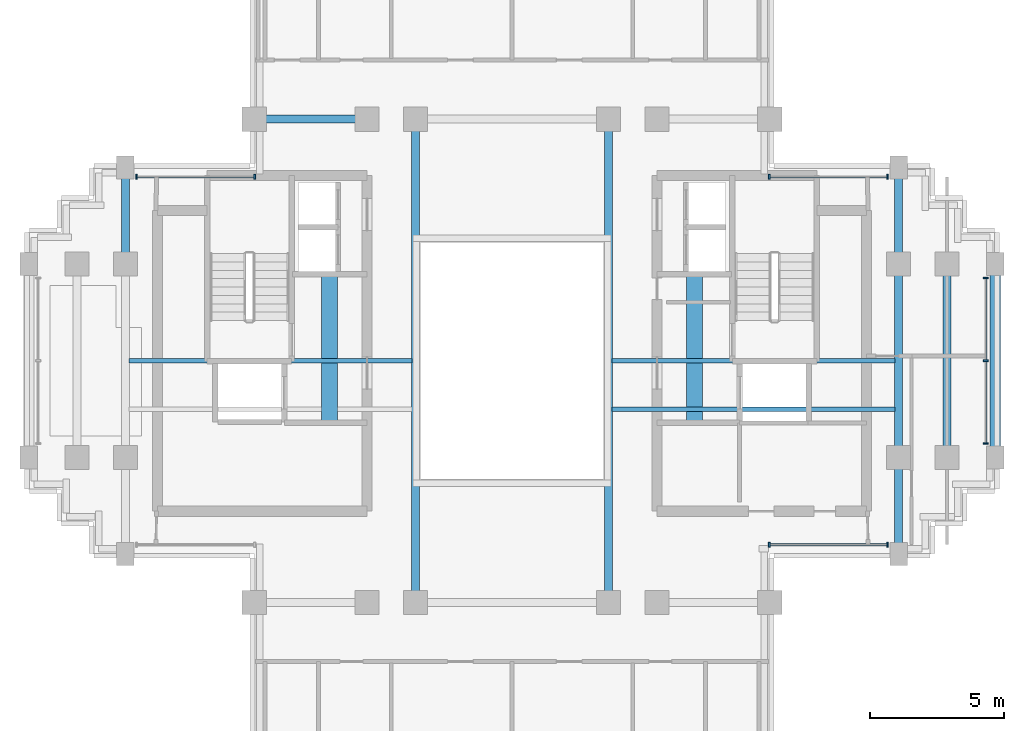
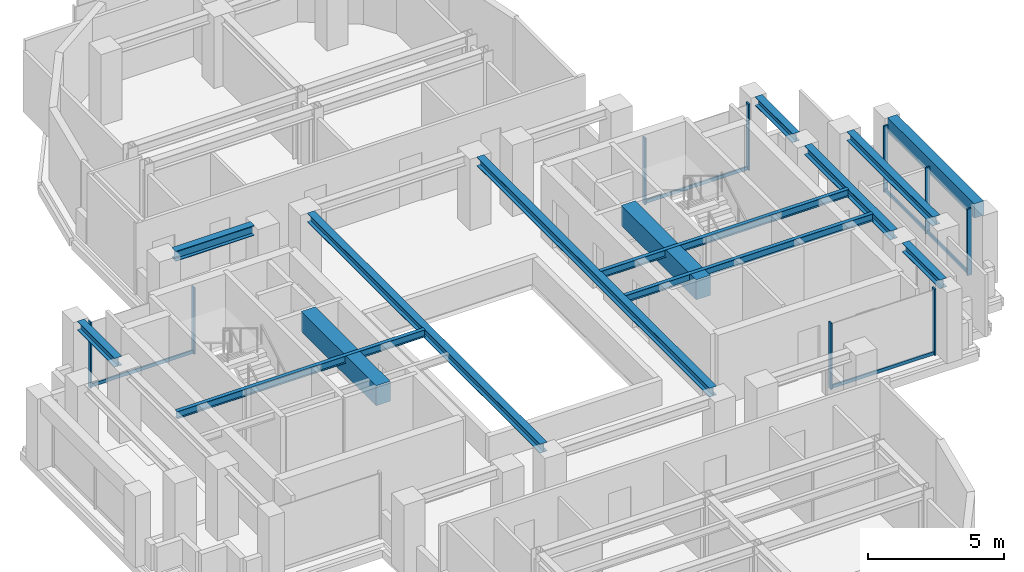
# One storey, part 3 of 11: 14 beams, 14 members, 4 elements without a shape of their own.
"""IFC4 building model written with IfcOpenShell, lengths in metres."""

from ifc_helpers import new_model, si_unit, direction, frame, origin, origin_2d, place, context, subcontext, project, spatial, rectangle, i_section, extrude, source, transform, mapped, material, material_profile, profile_set, type_object, element, aggregate, save


model = new_model("IFC4")

# Units and contexts
model_context = context("Model", 3, precision=1e-05, world=origin(), true_north=direction((0.0, 1.0)))
body_context = subcontext(model_context, "Body", "Model", "MODEL_VIEW")
ifc_project = project(units=[si_unit("LENGTHUNIT", "METRE"), si_unit("AREAUNIT", "SQUARE_METRE"), si_unit("VOLUMEUNIT", "CUBIC_METRE"), si_unit("PLANEANGLEUNIT", "RADIAN"), si_unit("MASSUNIT", "GRAM", prefix="KILO")], contexts=[model_context])

# Site, building, storey
site_placement = place(None, origin())
site = spatial("IfcSite", under=ifc_project, at=site_placement, CompositionType="ELEMENT")
building_placement = place(site_placement, origin())
building = spatial("IfcBuilding", under=site, at=building_placement, Name="Keilestroom Media Tower", CompositionType="ELEMENT")
storey_placement = place(building_placement, frame((0.0, 0.0, 194.39990234375)))
storey = spatial("IfcBuildingStorey", under=building, at=storey_placement, Name="L53", CompositionType="ELEMENT", Elevation=194.39990234375)

# Beams
ifc_material_1 = material(Name="Concrete C70/85", Category="concrete")
ifc_material_profile_1 = material_profile(ifc_material_1, rectangle(XDim=0.60009765625, YDim=0.89990234375, at=origin_2d()), Name="RC 600x900")
ifc_profile_set_1 = profile_set([ifc_material_profile_1], Name="Concrete C70/85")
beam_type_1 = type_object("IfcBeamType", Name="Core-Coupling-Lintel-Beam-RC-600x900", PredefinedType="LINTEL", material=ifc_profile_set_1)
shared_shape_1 = source(origin(), body_context, "Body", "SweptSolid", [
    extrude(rectangle(XDim=0.60009765625, YDim=0.89990234375, at=origin_2d()), origin(), (0.0, 0.0, 1.0), 5.52001953125),
])
for number, where, z_axis, x_axis, name in (
    (1, (-6.800048828125, -2.300048828125, 2.75), (0.0, 1.0, 0.0), (-1.0, 0.0, 0.0), "L53 Beam CLB-1 CLB-L53-W"),
    (2, (6.800048828125, -2.300048828125, 2.75), (0.0, 1.0, 0.0), (-1.0, 0.0, 0.0), "L53 Beam CLB-1 CLB-L53-E"),
):
    element("IfcBeam", number, at=place(storey_placement, frame(where, z_axis=z_axis, x_axis=x_axis)), inside=storey, type_object=beam_type_1, Name=name, PredefinedType="LINTEL", context=body_context, shape_type="MappedRepresentation", body=[
        mapped(shared_shape_1, transform((0.0, 0.0, 0.0), x_axis=(1.0, 0.0, 0.0), y_axis=(0.0, 1.0, 0.0), z_axis=(0.0, 0.0, 1.0), scale=1.0)),
    ])
ifc_material_2 = material(Name="Steel S355", Category="steel")
ifc_material_profile_2 = material_profile(ifc_material_2, i_section(OverallWidth=0.300048828125, OverallDepth=0.449951171875, WebThickness=0.011962890625, FlangeThickness=0.02587890625, at=origin_2d()), Name="HEB 450")
ifc_profile_set_2 = profile_set([ifc_material_profile_2], Name="Steel S355")
beam_type_2 = type_object("IfcBeamType", Name="Primary-Structural-Girder-HEB-450", PredefinedType="BEAM", material=ifc_profile_set_2)
shared_shape_2 = source(origin(), body_context, "Body", "SweptSolid", [
    extrude(i_section(OverallWidth=0.300048828125, OverallDepth=0.449951171875, WebThickness=0.011962890625, FlangeThickness=0.02587890625, at=origin_2d()), origin(), (0.0, 0.0, 1.0), 3.33984375),
])
beam_1_placement = place(storey_placement, frame((-9.169921875, 9.0, 2.97509765625), z_axis=(1.0, 0.0, 0.0), x_axis=(0.0, 1.0, 0.0)))
element("IfcBeam", 3, at=beam_1_placement, inside=storey, type_object=beam_type_2, Name="L53 Beam BG-7 BM-L53-EW-020", PredefinedType="BEAM", context=body_context, shape_type="MappedRepresentation", body=[
    mapped(shared_shape_2, transform((0.0, 0.0, 0.0), x_axis=(1.0, 0.0, 0.0), y_axis=(0.0, 1.0, 0.0), z_axis=(0.0, 0.0, 1.0), scale=1.0)),
])
ifc_material_3 = material(Name="Precast concrete C40/50", Category="concrete")
ifc_material_profile_3 = material_profile(ifc_material_3, rectangle(XDim=0.39990234375, YDim=0.64990234375, at=origin_2d()), Name="PC 400x650")
ifc_profile_set_3 = profile_set([ifc_material_profile_3], Name="Precast concrete C40/50")
beam_type_3 = type_object("IfcBeamType", Name="Perimeter-Spandrel-Beam-PC-400x650", PredefinedType="SPANDREL", material=ifc_profile_set_3)
shared_shape_3 = source(origin(), body_context, "Body", "SweptSolid", [
    extrude(rectangle(XDim=0.39990234375, YDim=0.64990234375, at=origin_2d()), origin(), (0.0, 0.0, 1.0), 6.39013671875),
])
beam_2_placement = place(storey_placement, frame((18.0, -3.195068359375, 2.875), z_axis=(0.0, 1.0, 0.0), x_axis=(-1.0, 0.0, 0.0)))
element("IfcBeam", 4, at=beam_2_placement, inside=storey, type_object=beam_type_3, Name="L53 Beam SPB-2 BM-L53-NS-054", PredefinedType="SPANDREL", context=body_context, shape_type="MappedRepresentation", body=[
    mapped(shared_shape_3, transform((0.0, 0.0, 0.0), x_axis=(1.0, 0.0, 0.0), y_axis=(0.0, 1.0, 0.0), z_axis=(0.0, 0.0, 1.0), scale=1.0)),
])
ifc_material_profile_4 = material_profile(ifc_material_2, i_section(OverallWidth=0.300048828125, OverallDepth=0.39990234375, WebThickness=0.011474609375, FlangeThickness=0.02392578125, at=origin_2d()), Name="HEB 400")
ifc_profile_set_4 = profile_set([ifc_material_profile_4], Name="Steel S355")
beam_type_4 = type_object("IfcBeamType", Name="Primary-Structural-Girder-HEB-400", PredefinedType="BEAM", material=ifc_profile_set_4)
shared_shape_4 = source(origin(), body_context, "Body", "SweptSolid", [
    extrude(i_section(OverallWidth=0.300048828125, OverallDepth=0.39990234375, WebThickness=0.011474609375, FlangeThickness=0.02392578125, at=origin_2d()), origin(), (0.0, 0.0, 1.0), 6.33984375),
])
for number, where, z_axis, x_axis, name in (
    (5, (14.39990234375, -3.169921875, 3.0), (0.0, 1.0, 0.0), (-1.0, 0.0, 0.0), "L53 Beam BG-8 BM-L53-NS-051"),
    (6, (16.199951171875, -3.169921875, 3.0), (0.0, 1.0, 0.0), (-1.0, 0.0, 0.0), "L53 Beam BG-8 BM-L53-NS-053"),
):
    element("IfcBeam", number, at=place(storey_placement, frame(where, z_axis=z_axis, x_axis=x_axis)), inside=storey, type_object=beam_type_4, Name=name, PredefinedType="BEAM", context=body_context, shape_type="MappedRepresentation", body=[
        mapped(shared_shape_4, transform((0.0, 0.0, 0.0), x_axis=(1.0, 0.0, 0.0), y_axis=(0.0, 1.0, 0.0), z_axis=(0.0, 0.0, 1.0), scale=1.0)),
    ])
shared_shape_5 = source(origin(), body_context, "Body", "SweptSolid", [
    extrude(i_section(OverallWidth=0.300048828125, OverallDepth=0.39990234375, WebThickness=0.011474609375, FlangeThickness=0.02392578125, at=origin_2d()), origin(), (0.0, 0.0, 1.0), 2.764892578125),
])
for number, where, z_axis, x_axis, name in (
    (7, (-14.39990234375, 4.030029296875, 3.0), (0.0, 1.0, 0.0), (-1.0, 0.0, 0.0), "L53 Beam BG-8 BM-L53-NS-035"),
    (8, (14.39990234375, -6.794921875, 3.0), (0.0, 1.0, 0.0), (-1.0, 0.0, 0.0), "L53 Beam BG-8 BM-L53-NS-050"),
    (9, (14.39990234375, 4.030029296875, 3.0), (0.0, 1.0, 0.0), (-1.0, 0.0, 0.0), "L53 Beam BG-8 BM-L53-NS-052"),
):
    element("IfcBeam", number, at=place(storey_placement, frame(where, z_axis=z_axis, x_axis=x_axis)), inside=storey, type_object=beam_type_4, Name=name, PredefinedType="BEAM", context=body_context, shape_type="MappedRepresentation", body=[
        mapped(shared_shape_5, transform((0.0, 0.0, 0.0), x_axis=(1.0, 0.0, 0.0), y_axis=(0.0, 1.0, 0.0), z_axis=(0.0, 0.0, 1.0), scale=1.0)),
    ])
shared_shape_6 = source(origin(), body_context, "Body", "SweptSolid", [
    extrude(i_section(OverallWidth=0.300048828125, OverallDepth=0.39990234375, WebThickness=0.011474609375, FlangeThickness=0.02392578125, at=origin_2d()), origin(), (0.0, 0.0, 1.0), 17.14013671875),
])
for number, where, z_axis, x_axis, name in (
    (10, (-3.60009765625, -8.570068359375, 3.0), (0.0, 1.0, 0.0), (-1.0, 0.0, 0.0), "L53 Beam BG-8 BM-L53-NS-040"),
    (11, (3.60009765625, -8.570068359375, 3.0), (0.0, 1.0, 0.0), (-1.0, 0.0, 0.0), "L53 Beam BG-8 BM-L53-NS-045"),
):
    element("IfcBeam", number, at=place(storey_placement, frame(where, z_axis=z_axis, x_axis=x_axis)), inside=storey, type_object=beam_type_4, Name=name, PredefinedType="BEAM", context=body_context, shape_type="MappedRepresentation", body=[
        mapped(shared_shape_6, transform((0.0, 0.0, 0.0), x_axis=(1.0, 0.0, 0.0), y_axis=(0.0, 1.0, 0.0), z_axis=(0.0, 0.0, 1.0), scale=1.0)),
    ])
ifc_material_profile_5 = material_profile(ifc_material_2, i_section(OverallWidth=0.159912109375, OverallDepth=0.330078125, WebThickness=0.007568359375, FlangeThickness=0.011474609375, at=origin_2d()), Name="IPE 330")
ifc_profile_set_5 = profile_set([ifc_material_profile_5], Name="Steel S355")
beam_type_5 = type_object("IfcBeamType", Name="Secondary-Floor-Joist-IPE-330", PredefinedType="JOIST", material=ifc_profile_set_5)
shared_shape_7 = source(origin(), body_context, "Body", "SweptSolid", [
    extrude(i_section(OverallWidth=0.159912109375, OverallDepth=0.330078125, WebThickness=0.007568359375, FlangeThickness=0.011474609375, at=origin_2d()), origin(), (0.0, 0.0, 1.0), 10.5400390625),
])
for number, where, z_axis, x_axis, name in (
    (12, (3.72998046875, -1.800048828125, 3.03515625), (1.0, 0.0, 0.0), (0.0, 1.0, 0.0), "L53 Beam BJ-6 JST-L53-059"),
    (13, (-14.27001953125, 0.0, 3.03515625), (1.0, 0.0, 0.0), (0.0, 1.0, 0.0), "L53 Beam BJ-6 JST-L53-060"),
    (14, (3.72998046875, 0.0, 3.03515625), (1.0, 0.0, 0.0), (0.0, 1.0, 0.0), "L53 Beam BJ-6 JST-L53-062"),
):
    element("IfcBeam", number, at=place(storey_placement, frame(where, z_axis=z_axis, x_axis=x_axis)), inside=storey, type_object=beam_type_5, Name=name, PredefinedType="JOIST", context=body_context, shape_type="MappedRepresentation", body=[
        mapped(shared_shape_7, transform((0.0, 0.0, 0.0), x_axis=(1.0, 0.0, 0.0), y_axis=(0.0, 1.0, 0.0), z_axis=(0.0, 0.0, 1.0), scale=1.0)),
    ])

# Curtain wall, members
ifc_material_4 = material(Name="Anodised Aluminium Alloy", Category="aluminium")
curtain_wall_type = type_object("IfcCurtainWallType", Name="Unitised-Curtain-Wall-CW-3", PredefinedType="NOTDEFINED", material=ifc_material_4)
curtain_wall_1_placement = place(storey_placement, origin())
curtain_wall_1 = element("IfcCurtainWall", 15, at=curtain_wall_1_placement, inside=storey, type_object=curtain_wall_type, Name="L53 Curtain Wall CW-3 CW-L53-E-1", PredefinedType="NOTDEFINED")
ifc_material_profile_6 = material_profile(ifc_material_4, rectangle(XDim=0.06494140625, YDim=0.179931640625, at=origin_2d()), Name="ALU MULLION 65x180")
ifc_profile_set_6 = profile_set([ifc_material_profile_6], Name="Anodised Aluminium Alloy")
member_type_1 = type_object("IfcMemberType", Name="Curtain-Wall-Mullion-CW-3", PredefinedType="MULLION", material=ifc_profile_set_6)
shared_shape_8 = source(origin(), body_context, "Body", "SweptSolid", [
    extrude(rectangle(XDim=0.06494140625, YDim=0.179931640625, at=origin_2d()), origin(), (0.0, 0.0, 1.0), 2.97998046875),
])
member_1_placement = place(storey_placement, frame((17.64990234375, -3.08251953125, 0.0), z_axis=(0.0, 0.0, 1.0), x_axis=(0.0, 1.0, 0.0)))
member_1 = element("IfcMember", 16, at=member_1_placement, type_object=member_type_1, Name="CW-3 Mullion 00", PredefinedType="MULLION", context=body_context, shape_type="MappedRepresentation", body=[
    mapped(shared_shape_8, transform((0.0, 0.0, 0.0), x_axis=(1.0, 0.0, 0.0), y_axis=(0.0, 1.0, 0.0), z_axis=(0.0, 0.0, 1.0), scale=1.0)),
])
member_2_placement = place(storey_placement, frame((17.64990234375, 0.0, 0.0), z_axis=(0.0, 0.0, 1.0), x_axis=(0.0, 1.0, 0.0)))
member_2 = element("IfcMember", 17, at=member_2_placement, type_object=member_type_1, Name="CW-3 Mullion 01", PredefinedType="MULLION", context=body_context, shape_type="MappedRepresentation", body=[
    mapped(shared_shape_8, transform((0.0, 0.0, 0.0), x_axis=(1.0, 0.0, 0.0), y_axis=(0.0, 1.0, 0.0), z_axis=(0.0, 0.0, 1.0), scale=1.0)),
])
member_3_placement = place(storey_placement, frame((17.64990234375, 3.08251953125, 0.0), z_axis=(0.0, 0.0, 1.0), x_axis=(0.0, 1.0, 0.0)))
member_3 = element("IfcMember", 18, at=member_3_placement, type_object=member_type_1, Name="CW-3 Mullion 02", PredefinedType="MULLION", context=body_context, shape_type="MappedRepresentation", body=[
    mapped(shared_shape_8, transform((0.0, 0.0, 0.0), x_axis=(1.0, 0.0, 0.0), y_axis=(0.0, 1.0, 0.0), z_axis=(0.0, 0.0, 1.0), scale=1.0)),
])

curtain_wall_2_placement = place(storey_placement, origin())
curtain_wall_2 = element("IfcCurtainWall", 19, at=curtain_wall_2_placement, inside=storey, type_object=curtain_wall_type, Name="L53 Curtain Wall CW-3 CW-L53-NW-1", PredefinedType="NOTDEFINED")
member_4_placement = place(storey_placement, frame((-13.982421875, 6.85009765625, 0.0), z_axis=(0.0, 0.0, 1.0), x_axis=(1.0, 0.0, 0.0)))
member_4 = element("IfcMember", 20, at=member_4_placement, type_object=member_type_1, Name="CW-3 Mullion 00", PredefinedType="MULLION", context=body_context, shape_type="MappedRepresentation", body=[
    mapped(shared_shape_8, transform((0.0, 0.0, 0.0), x_axis=(1.0, 0.0, 0.0), y_axis=(0.0, 1.0, 0.0), z_axis=(0.0, 0.0, 1.0), scale=1.0)),
])
member_5_placement = place(storey_placement, frame((-9.58251953125, 6.85009765625, 0.0), z_axis=(0.0, 0.0, 1.0), x_axis=(1.0, 0.0, 0.0)))
member_5 = element("IfcMember", 21, at=member_5_placement, type_object=member_type_1, Name="CW-3 Mullion 01", PredefinedType="MULLION", context=body_context, shape_type="MappedRepresentation", body=[
    mapped(shared_shape_8, transform((0.0, 0.0, 0.0), x_axis=(1.0, 0.0, 0.0), y_axis=(0.0, 1.0, 0.0), z_axis=(0.0, 0.0, 1.0), scale=1.0)),
])

curtain_wall_3_placement = place(storey_placement, origin())
curtain_wall_3 = element("IfcCurtainWall", 22, at=curtain_wall_3_placement, inside=storey, type_object=curtain_wall_type, Name="L53 Curtain Wall CW-3 CW-L53-NE-1", PredefinedType="NOTDEFINED")
member_6_placement = place(storey_placement, frame((9.58251953125, 6.85009765625, 0.0), z_axis=(0.0, 0.0, 1.0), x_axis=(1.0, 0.0, 0.0)))
member_6 = element("IfcMember", 23, at=member_6_placement, type_object=member_type_1, Name="CW-3 Mullion 00", PredefinedType="MULLION", context=body_context, shape_type="MappedRepresentation", body=[
    mapped(shared_shape_8, transform((0.0, 0.0, 0.0), x_axis=(1.0, 0.0, 0.0), y_axis=(0.0, 1.0, 0.0), z_axis=(0.0, 0.0, 1.0), scale=1.0)),
])
member_7_placement = place(storey_placement, frame((13.982421875, 6.85009765625, 0.0), z_axis=(0.0, 0.0, 1.0), x_axis=(1.0, 0.0, 0.0)))
member_7 = element("IfcMember", 24, at=member_7_placement, type_object=member_type_1, Name="CW-3 Mullion 01", PredefinedType="MULLION", context=body_context, shape_type="MappedRepresentation", body=[
    mapped(shared_shape_8, transform((0.0, 0.0, 0.0), x_axis=(1.0, 0.0, 0.0), y_axis=(0.0, 1.0, 0.0), z_axis=(0.0, 0.0, 1.0), scale=1.0)),
])

curtain_wall_4_placement = place(storey_placement, origin())
curtain_wall_4 = element("IfcCurtainWall", 25, at=curtain_wall_4_placement, inside=storey, type_object=curtain_wall_type, Name="L53 Curtain Wall CW-3 CW-L53-SE-1", PredefinedType="NOTDEFINED")
member_8_placement = place(storey_placement, frame((9.58251953125, -6.85009765625, 0.0), z_axis=(0.0, 0.0, 1.0), x_axis=(1.0, 0.0, 0.0)))
member_8 = element("IfcMember", 26, at=member_8_placement, type_object=member_type_1, Name="CW-3 Mullion 00", PredefinedType="MULLION", context=body_context, shape_type="MappedRepresentation", body=[
    mapped(shared_shape_8, transform((0.0, 0.0, 0.0), x_axis=(1.0, 0.0, 0.0), y_axis=(0.0, 1.0, 0.0), z_axis=(0.0, 0.0, 1.0), scale=1.0)),
])
member_9_placement = place(storey_placement, frame((13.982421875, -6.85009765625, 0.0), z_axis=(0.0, 0.0, 1.0), x_axis=(1.0, 0.0, 0.0)))
member_9 = element("IfcMember", 27, at=member_9_placement, type_object=member_type_1, Name="CW-3 Mullion 01", PredefinedType="MULLION", context=body_context, shape_type="MappedRepresentation", body=[
    mapped(shared_shape_8, transform((0.0, 0.0, 0.0), x_axis=(1.0, 0.0, 0.0), y_axis=(0.0, 1.0, 0.0), z_axis=(0.0, 0.0, 1.0), scale=1.0)),
])

# Member
ifc_material_profile_7 = material_profile(ifc_material_4, rectangle(XDim=0.06494140625, YDim=0.14990234375, at=origin_2d()), Name="ALU TRANSOM 65x150")
ifc_profile_set_7 = profile_set([ifc_material_profile_7], Name="Anodised Aluminium Alloy")
member_type_2 = type_object("IfcMemberType", Name="Curtain-Wall-Transom-CW-3", PredefinedType="USERDEFINED", material=ifc_profile_set_7)
shared_shape_9 = source(origin(), body_context, "Body", "SweptSolid", [
    extrude(rectangle(XDim=0.06494140625, YDim=0.14990234375, at=origin_2d()), origin(), (0.0, 0.0, 1.0), 4.3388671875),
])
member_10_placement = place(storey_placement, frame((-13.951904296875, 6.85009765625, 0.0751953125), z_axis=(1.0, 0.0, 0.0), x_axis=(0.0, 1.0, 0.0)))
member_10 = element("IfcMember", 28, at=member_10_placement, type_object=member_type_2, Name="CW-3 Transom 00.1", ObjectType="TRANSOM", PredefinedType="USERDEFINED", context=body_context, shape_type="MappedRepresentation", body=[
    mapped(shared_shape_9, transform((0.0, 0.0, 0.0), x_axis=(1.0, 0.0, 0.0), y_axis=(0.0, 1.0, 0.0), z_axis=(0.0, 0.0, 1.0), scale=1.0)),
])

aggregate(curtain_wall_2, [member_4, member_5, member_10])

member_11_placement = place(storey_placement, frame((9.613037109375, 6.85009765625, 0.0751953125), z_axis=(1.0, 0.0, 0.0), x_axis=(0.0, 1.0, 0.0)))
member_11 = element("IfcMember", 29, at=member_11_placement, type_object=member_type_2, Name="CW-3 Transom 00.1", ObjectType="TRANSOM", PredefinedType="USERDEFINED", context=body_context, shape_type="MappedRepresentation", body=[
    mapped(shared_shape_9, transform((0.0, 0.0, 0.0), x_axis=(1.0, 0.0, 0.0), y_axis=(0.0, 1.0, 0.0), z_axis=(0.0, 0.0, 1.0), scale=1.0)),
])

aggregate(curtain_wall_3, [member_6, member_7, member_11])

member_12_placement = place(storey_placement, frame((9.613037109375, -6.85009765625, 0.0751953125), z_axis=(1.0, 0.0, 0.0), x_axis=(0.0, 1.0, 0.0)))
member_12 = element("IfcMember", 30, at=member_12_placement, type_object=member_type_2, Name="CW-3 Transom 00.1", ObjectType="TRANSOM", PredefinedType="USERDEFINED", context=body_context, shape_type="MappedRepresentation", body=[
    mapped(shared_shape_9, transform((0.0, 0.0, 0.0), x_axis=(1.0, 0.0, 0.0), y_axis=(0.0, 1.0, 0.0), z_axis=(0.0, 0.0, 1.0), scale=1.0)),
])

aggregate(curtain_wall_4, [member_8, member_9, member_12])

shared_shape_10 = source(origin(), body_context, "Body", "SweptSolid", [
    extrude(rectangle(XDim=0.06494140625, YDim=0.14990234375, at=origin_2d()), origin(), (0.0, 0.0, 1.0), 3.021484375),
])
member_13_placement = place(storey_placement, frame((17.64990234375, -3.052001953125, 0.0751953125), z_axis=(0.0, 1.0, 0.0), x_axis=(-1.0, 0.0, 0.0)))
member_13 = element("IfcMember", 31, at=member_13_placement, type_object=member_type_2, Name="CW-3 Transom 00.1", ObjectType="TRANSOM", PredefinedType="USERDEFINED", context=body_context, shape_type="MappedRepresentation", body=[
    mapped(shared_shape_10, transform((0.0, 0.0, 0.0), x_axis=(1.0, 0.0, 0.0), y_axis=(0.0, 1.0, 0.0), z_axis=(0.0, 0.0, 1.0), scale=1.0)),
])

member_14_placement = place(storey_placement, frame((17.64990234375, 0.030517578125, 0.0751953125), z_axis=(0.0, 1.0, 0.0), x_axis=(-1.0, 0.0, 0.0)))
member_14 = element("IfcMember", 32, at=member_14_placement, type_object=member_type_2, Name="CW-3 Transom 01.1", ObjectType="TRANSOM", PredefinedType="USERDEFINED", context=body_context, shape_type="MappedRepresentation", body=[
    mapped(shared_shape_10, transform((0.0, 0.0, 0.0), x_axis=(1.0, 0.0, 0.0), y_axis=(0.0, 1.0, 0.0), z_axis=(0.0, 0.0, 1.0), scale=1.0)),
])

aggregate(curtain_wall_1, [member_1, member_2, member_3, member_13, member_14])

save(model, "model.ifc")
